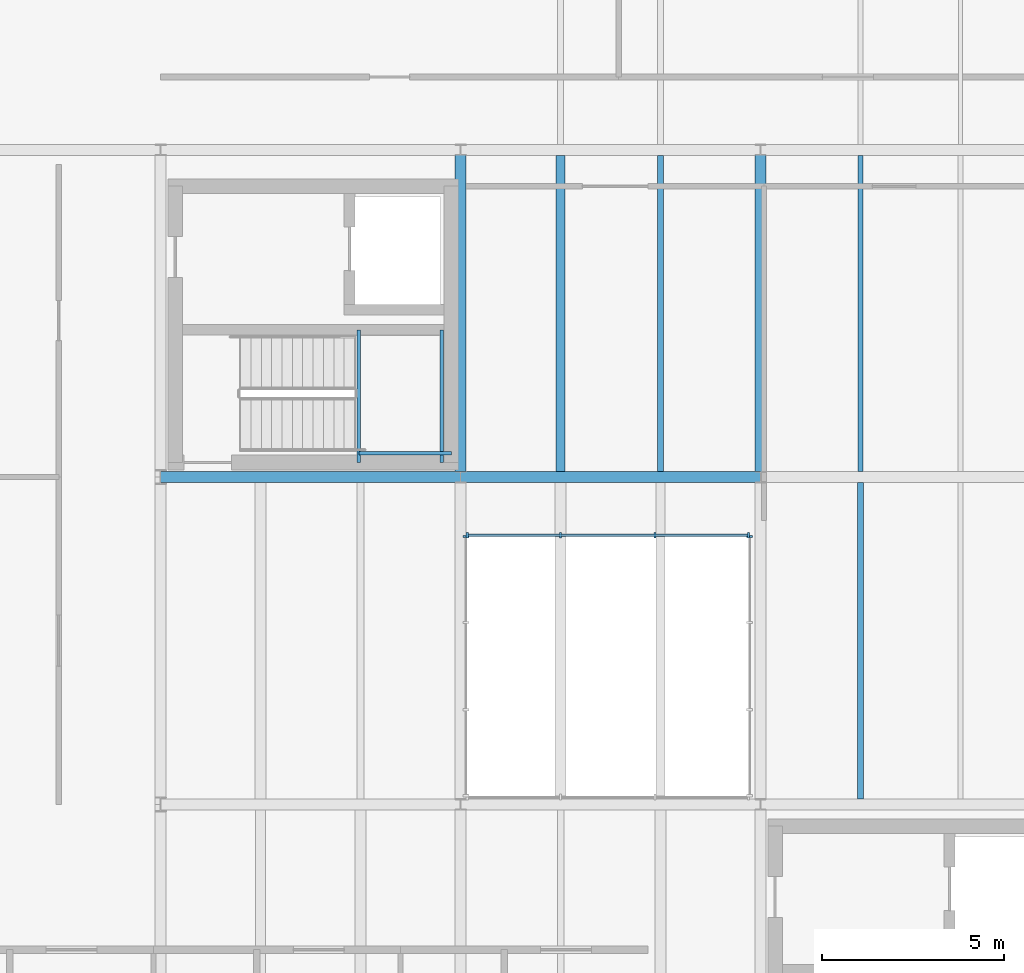
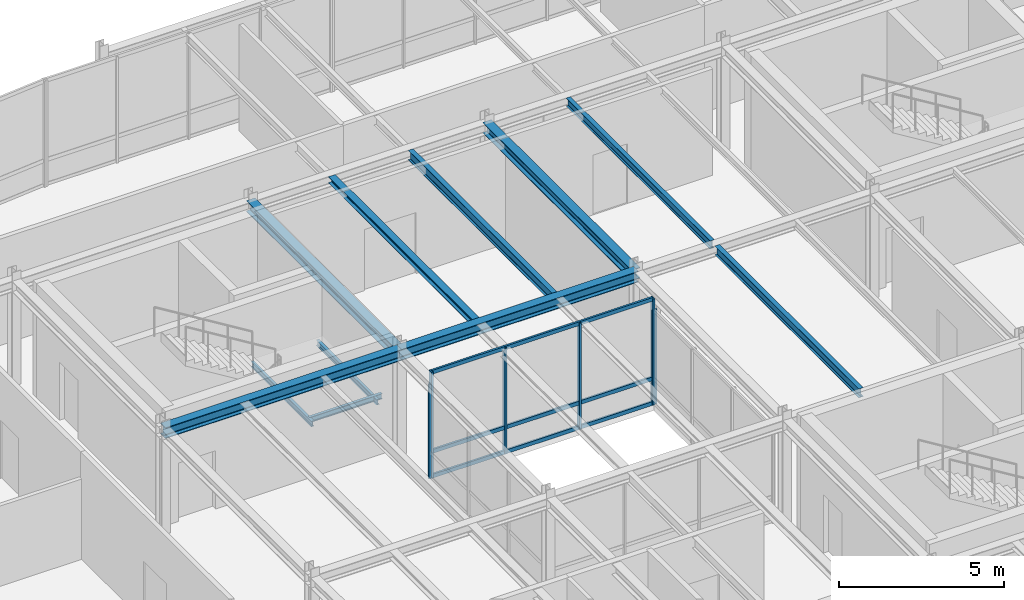
# One storey, part 8 of 27: 11 beams, 9 members, 3 elements without a shape of their own.
"""IFC4 building model written with IfcOpenShell, lengths in metres."""

from ifc_helpers import new_model, si_unit, direction, frame, origin, origin_2d, place, context, subcontext, project, spatial, rectangle, i_section, extrude, material, layer, layer_set, material_profile, profile_set, type_object, element, aggregate, save


model = new_model("IFC4")

# Units and contexts
model_context = context("Model", 3, precision=1e-05, world=origin(), true_north=direction((0.0, 1.0)))
body_context = subcontext(model_context, "Body", "Model", "MODEL_VIEW")
ifc_project = project(units=[si_unit("LENGTHUNIT", "METRE"), si_unit("AREAUNIT", "SQUARE_METRE"), si_unit("VOLUMEUNIT", "CUBIC_METRE"), si_unit("PLANEANGLEUNIT", "RADIAN"), si_unit("MASSUNIT", "GRAM", prefix="KILO")], contexts=[model_context])

# Site, building, storey
site_placement = place(None, origin())
site = spatial("IfcSite", under=ifc_project, at=site_placement, CompositionType="ELEMENT")
building_placement = place(site_placement, origin())
building = spatial("IfcBuilding", under=site, at=building_placement, Name="Montealbar Specialist Clinic", CompositionType="ELEMENT")
storey_placement = place(building_placement, frame((0.0, 0.0, 18.0)))
storey = spatial("IfcBuildingStorey", under=building, at=storey_placement, Name="L04", CompositionType="ELEMENT", Elevation=18.0)

# Beams
ifc_material_1 = material(Name="Steel S355", Category="steel")
ifc_material_profile_1 = material_profile(ifc_material_1, i_section(OverallWidth=0.300048828125, OverallDepth=0.39990234375, WebThickness=0.013427734375, FlangeThickness=0.02392578125, FilletRadius=0.027099609375, at=origin_2d()), Name="HEB 400", Category="steel")
ifc_profile_set_1 = profile_set([ifc_material_profile_1], Name="Steel S355")
beam_type_1 = type_object("IfcBeamType", Name="BM-GIRD-HEB400", PredefinedType="BEAM", material=ifc_profile_set_1)
for number, where, z_axis, x_axis, name in (
    (1, (66.0, 27.0, 3.68994140625), (1.0, 0.0, 0.0), (0.0, 1.0, 0.0), "Beam GX-L04-660-742-270"),
    (2, (74.25, 27.0, 3.68994140625), (1.0, 0.0, 0.0), (0.0, 1.0, 0.0), "Beam GX-L04-742-825-270"),
):
    element("IfcBeam", number, at=place(storey_placement, frame(where, z_axis=z_axis, x_axis=x_axis)), inside=storey, type_object=beam_type_1, Name=name, PredefinedType="BEAM", context=body_context, shape_type="SweptSolid", body=[
        extrude(i_section(OverallWidth=0.300048828125, OverallDepth=0.39990234375, WebThickness=0.013427734375, FlangeThickness=0.02392578125, FilletRadius=0.027099609375, at=origin_2d()), origin(), (0.0, 0.0, 1.0), 8.25),
    ])
for number, where, z_axis, x_axis, name in (
    (3, (74.25, 27.0, 3.68994140625), (0.0, 1.0, 0.0), (-1.0, 0.0, 0.0), "Beam GY-L04-742-270-360"),
    (4, (82.5, 27.0, 3.68994140625), (0.0, 1.0, 0.0), (-1.0, 0.0, 0.0), "Beam GY-L04-825-270-360"),
):
    element("IfcBeam", number, at=place(storey_placement, frame(where, z_axis=z_axis, x_axis=x_axis)), inside=storey, type_object=beam_type_1, Name=name, PredefinedType="BEAM", context=body_context, shape_type="SweptSolid", body=[
        extrude(i_section(OverallWidth=0.300048828125, OverallDepth=0.39990234375, WebThickness=0.013427734375, FlangeThickness=0.02392578125, FilletRadius=0.027099609375, at=origin_2d()), origin(), (0.0, 0.0, 1.0), 9.0),
    ])
ifc_material_profile_2 = material_profile(ifc_material_1, i_section(OverallWidth=0.14990234375, OverallDepth=0.300048828125, WebThickness=0.007080078125, FlangeThickness=0.0107421875, FilletRadius=0.014892578125, at=origin_2d()), Name="IPE 300", Category="steel")
ifc_profile_set_2 = profile_set([ifc_material_profile_2], Name="Steel S355")
beam_type_2 = type_object("IfcBeamType", Name="BM-JST-IPE300", PredefinedType="JOIST", material=ifc_profile_set_2)
beam_1_placement = place(storey_placement, frame((85.25, 27.14990234375, 3.739990234375), z_axis=(0.0, 1.0, 0.0), x_axis=(-1.0, 0.0, 0.0)))
element("IfcBeam", 5, at=beam_1_placement, inside=storey, type_object=beam_type_2, Name="Beam JST-L04-852-272-358", PredefinedType="JOIST", context=body_context, shape_type="SweptSolid", body=[
    extrude(i_section(OverallWidth=0.14990234375, OverallDepth=0.300048828125, WebThickness=0.007080078125, FlangeThickness=0.0107421875, FilletRadius=0.014892578125, at=origin_2d()), origin(), (0.0, 0.0, 1.0), 8.7001953125),
])
ifc_material_profile_3 = material_profile(ifc_material_1, i_section(OverallWidth=0.159912109375, OverallDepth=0.330078125, WebThickness=0.007568359375, FlangeThickness=0.011474609375, FilletRadius=0.01806640625, at=origin_2d()), Name="IPE 330", Category="steel")
ifc_profile_set_3 = profile_set([ifc_material_profile_3], Name="Steel S355")
beam_type_3 = type_object("IfcBeamType", Name="BM-JST-IPE330", PredefinedType="JOIST", material=ifc_profile_set_3)
beam_2_placement = place(storey_placement, frame((85.25, 18.14990234375, 3.72509765625), z_axis=(0.0, 1.0, 0.0), x_axis=(-1.0, 0.0, 0.0)))
element("IfcBeam", 6, at=beam_2_placement, inside=storey, type_object=beam_type_3, Name="Beam JST-L04-852-182-268", PredefinedType="JOIST", context=body_context, shape_type="SweptSolid", body=[
    extrude(i_section(OverallWidth=0.159912109375, OverallDepth=0.330078125, WebThickness=0.007568359375, FlangeThickness=0.011474609375, FilletRadius=0.01806640625, at=origin_2d()), origin(), (0.0, 0.0, 1.0), 8.7001953125),
])
ifc_material_profile_4 = material_profile(ifc_material_1, i_section(OverallWidth=0.169921875, OverallDepth=0.360107421875, WebThickness=0.008056640625, FlangeThickness=0.0126953125, FilletRadius=0.01806640625, at=origin_2d()), Name="IPE 360", Category="steel")
ifc_profile_set_4 = profile_set([ifc_material_profile_4], Name="Steel S355")
beam_type_4 = type_object("IfcBeamType", Name="BM-JST-IPE360", PredefinedType="JOIST", material=ifc_profile_set_4)
beam_3_placement = place(storey_placement, frame((79.75, 27.14990234375, 3.7099609375), z_axis=(0.0, 1.0, 0.0), x_axis=(-1.0, 0.0, 0.0)))
element("IfcBeam", 7, at=beam_3_placement, inside=storey, type_object=beam_type_4, Name="Beam JST-L04-798-272-358", PredefinedType="JOIST", context=body_context, shape_type="SweptSolid", body=[
    extrude(i_section(OverallWidth=0.169921875, OverallDepth=0.360107421875, WebThickness=0.008056640625, FlangeThickness=0.0126953125, FilletRadius=0.01806640625, at=origin_2d()), origin(), (0.0, 0.0, 1.0), 8.7001953125),
])
ifc_material_profile_5 = material_profile(ifc_material_1, i_section(OverallWidth=0.10009765625, OverallDepth=0.199951171875, WebThickness=0.005615234375, FlangeThickness=0.008544921875, FilletRadius=0.011962890625, at=origin_2d()), Name="IPE 200", Category="steel")
ifc_profile_set_5 = profile_set([ifc_material_profile_5], Name="Steel S355")
beam_type_5 = type_object("IfcBeamType", Name="BM-LINT-IPE200", PredefinedType="LINTEL", material=ifc_profile_set_5)
for number, where, z_axis, x_axis, name in (
    (8, (71.455078125, 27.39990234375, 1.800048828125), (0.0, 1.0, 0.0), (-1.0, 0.0, 0.0), "Core C3 Stair Landing Beam L04 W"),
    (9, (73.72998046875, 27.39990234375, 1.800048828125), (0.0, 1.0, 0.0), (-1.0, 0.0, 0.0), "Core C3 Stair Landing Beam L04 E"),
):
    element("IfcBeam", number, at=place(storey_placement, frame(where, z_axis=z_axis, x_axis=x_axis)), inside=storey, type_object=beam_type_5, Name=name, PredefinedType="LINTEL", context=body_context, shape_type="SweptSolid", body=[
        extrude(i_section(OverallWidth=0.10009765625, OverallDepth=0.199951171875, WebThickness=0.005615234375, FlangeThickness=0.008544921875, FilletRadius=0.011962890625, at=origin_2d()), origin(), (0.0, 0.0, 1.0), 3.650146484375),
    ])
beam_4_placement = place(storey_placement, frame((71.455078125, 27.64990234375, 1.800048828125), z_axis=(1.0, 0.0, 0.0), x_axis=(0.0, 1.0, 0.0)))
element("IfcBeam", 10, at=beam_4_placement, inside=storey, type_object=beam_type_5, Name="Core C3 Stair Landing Tie Beam L04", PredefinedType="LINTEL", context=body_context, shape_type="SweptSolid", body=[
    extrude(i_section(OverallWidth=0.10009765625, OverallDepth=0.199951171875, WebThickness=0.005615234375, FlangeThickness=0.008544921875, FilletRadius=0.011962890625, at=origin_2d()), origin(), (0.0, 0.0, 1.0), 2.544921875),
])
ifc_material_profile_6 = material_profile(ifc_material_1, i_section(OverallWidth=0.239990234375, OverallDepth=0.22998046875, WebThickness=0.007568359375, FlangeThickness=0.011962890625, FilletRadius=0.02099609375, at=origin_2d()), Name="HEA 240", Category="steel")
ifc_profile_set_6 = profile_set([ifc_material_profile_6], Name="Steel S355")
beam_type_6 = type_object("IfcBeamType", Name="BM-SPAND-HEA240", PredefinedType="SPANDREL", material=ifc_profile_set_6)
beam_5_placement = place(storey_placement, frame((77.0, 27.14990234375, 3.77490234375), z_axis=(0.0, 1.0, 0.0), x_axis=(-1.0, 0.0, 0.0)))
element("IfcBeam", 11, at=beam_5_placement, inside=storey, type_object=beam_type_6, Name="Beam JST-L04-770-272-358", PredefinedType="SPANDREL", context=body_context, shape_type="SweptSolid", body=[
    extrude(i_section(OverallWidth=0.239990234375, OverallDepth=0.22998046875, WebThickness=0.007568359375, FlangeThickness=0.011962890625, FilletRadius=0.02099609375, at=origin_2d()), origin(), (0.0, 0.0, 1.0), 8.7001953125),
])

# Curtain wall, member
ifc_material_2 = material(Name="Low-E double glazing", Category="glass")
ifc_layer_1 = layer(ifc_material_2, 0.199951171875, Name="Low-E double glazing", Category="glass")
ifc_layer_set_1 = layer_set([ifc_layer_1], Name="Low-E double glazing")
curtain_wall_type_1 = type_object("IfcCurtainWallType", Name="CW-TYPE-35", PredefinedType="NOTDEFINED", material=ifc_layer_set_1)
curtain_wall_1_placement = place(storey_placement, origin())
curtain_wall_1 = element("IfcCurtainWall", 12, at=curtain_wall_1_placement, inside=storey, type_object=curtain_wall_type_1, Name="Unitised Curtain Wall CW-L04-822-182-822-254-180", PredefinedType="NOTDEFINED")
ifc_material_3 = material(Name="Anodised aluminium EN AW-6063", Category="aluminium")
ifc_material_profile_7 = material_profile(ifc_material_3, rectangle(XDim=0.06005859375, YDim=0.159912109375, at=origin_2d()), Name="ALU 60x160", Category="aluminium")
ifc_profile_set_7 = profile_set([ifc_material_profile_7], Name="Anodised aluminium EN AW-6063")
member_type_1 = type_object("IfcMemberType", Name="CW-MUL-160", PredefinedType="MULLION", material=ifc_profile_set_7)
member_1_placement = place(storey_placement, frame((82.199951171875, 25.364990234375, 0.0), z_axis=(0.0, 0.0, 1.0), x_axis=(0.0, 1.0, 0.0)))
member_1 = element("IfcMember", 13, at=member_1_placement, type_object=member_type_1, Name="Curtain Wall Mullion CW-L04-822-182-822-254-180-03", PredefinedType="MULLION", context=body_context, shape_type="SweptSolid", body=[
    extrude(rectangle(XDim=0.06005859375, YDim=0.159912109375, at=origin_2d()), origin(), (0.0, 0.0, 1.0), 3.489990234375),
])
aggregate(curtain_wall_1, [member_1])

# Curtain wall, members
ifc_layer_2 = layer(ifc_material_2, 0.199951171875, Name="Low-E double glazing", Category="glass")
ifc_layer_set_2 = layer_set([ifc_layer_2], Name="Low-E double glazing")
curtain_wall_type_2 = type_object("IfcCurtainWallType", Name="CW-TYPE-36", PredefinedType="NOTDEFINED", material=ifc_layer_set_2)
curtain_wall_2_placement = place(storey_placement, origin())
curtain_wall_2 = element("IfcCurtainWall", 14, at=curtain_wall_2_placement, inside=storey, type_object=curtain_wall_type_2, Name="Unitised Curtain Wall CW-L04-822-254-744-254-180", PredefinedType="NOTDEFINED")
member_2_placement = place(storey_placement, frame((82.1650390625, 25.39990234375, 0.0), z_axis=(0.0, 0.0, 1.0), x_axis=(-1.0, 0.0, 0.0)))
member_2 = element("IfcMember", 15, at=member_2_placement, type_object=member_type_1, Name="Curtain Wall Mullion CW-L04-822-254-744-254-180-00", PredefinedType="MULLION", context=body_context, shape_type="SweptSolid", body=[
    extrude(rectangle(XDim=0.06005859375, YDim=0.159912109375, at=origin_2d()), origin(), (0.0, 0.0, 1.0), 3.919921875),
])
member_3_placement = place(storey_placement, frame((79.60009765625, 25.39990234375, 0.0), z_axis=(0.0, 0.0, 1.0), x_axis=(-1.0, 0.0, 0.0)))
member_3 = element("IfcMember", 16, at=member_3_placement, type_object=member_type_1, Name="Curtain Wall Mullion CW-L04-822-254-744-254-180-01", PredefinedType="MULLION", context=body_context, shape_type="SweptSolid", body=[
    extrude(rectangle(XDim=0.06005859375, YDim=0.159912109375, at=origin_2d()), origin(), (0.0, 0.0, 1.0), 3.919921875),
])
member_4_placement = place(storey_placement, frame((77.0, 25.39990234375, 0.0), z_axis=(0.0, 0.0, 1.0), x_axis=(-1.0, 0.0, 0.0)))
member_4 = element("IfcMember", 17, at=member_4_placement, type_object=member_type_1, Name="Curtain Wall Mullion CW-L04-822-254-744-254-180-02", PredefinedType="MULLION", context=body_context, shape_type="SweptSolid", body=[
    extrude(rectangle(XDim=0.06005859375, YDim=0.159912109375, at=origin_2d()), origin(), (0.0, 0.0, 1.0), 3.919921875),
])
member_5_placement = place(storey_placement, frame((74.43505859375, 25.39990234375, 0.0), z_axis=(0.0, 0.0, 1.0), x_axis=(-1.0, 0.0, 0.0)))
member_5 = element("IfcMember", 18, at=member_5_placement, type_object=member_type_1, Name="Curtain Wall Mullion CW-L04-822-254-744-254-180-03", PredefinedType="MULLION", context=body_context, shape_type="SweptSolid", body=[
    extrude(rectangle(XDim=0.06005859375, YDim=0.159912109375, at=origin_2d()), origin(), (0.0, 0.0, 1.0), 3.919921875),
])

# Curtain wall, member
curtain_wall_3_placement = place(storey_placement, origin())
curtain_wall_3 = element("IfcCurtainWall", 19, at=curtain_wall_3_placement, inside=storey, type_object=curtain_wall_type_1, Name="Unitised Curtain Wall CW-L04-744-254-744-182-180", PredefinedType="NOTDEFINED")
member_6_placement = place(storey_placement, frame((74.39990234375, 25.364990234375, 0.0), z_axis=(0.0, 0.0, 1.0), x_axis=(0.0, -1.0, 0.0)))
member_6 = element("IfcMember", 20, at=member_6_placement, type_object=member_type_1, Name="Curtain Wall Mullion CW-L04-744-254-744-182-180-00", PredefinedType="MULLION", context=body_context, shape_type="SweptSolid", body=[
    extrude(rectangle(XDim=0.06005859375, YDim=0.159912109375, at=origin_2d()), origin(), (0.0, 0.0, 1.0), 3.489990234375),
])
aggregate(curtain_wall_3, [member_6])

# Member
ifc_material_4 = material(Name="Powder-coated aluminium", Category="aluminium")
ifc_material_profile_8 = material_profile(ifc_material_4, rectangle(XDim=0.070068359375, YDim=0.139892578125, at=origin_2d()), Name="ALU 70x140", Category="aluminium")
ifc_profile_set_8 = profile_set([ifc_material_profile_8], Name="Powder-coated aluminium")
member_type_2 = type_object("IfcMemberType", Name="CW-TRN-140", PredefinedType="USERDEFINED", material=ifc_profile_set_8)
member_7_placement = place(storey_placement, frame((82.14990234375, 25.39990234375, 0.0400390625), z_axis=(-1.0, 0.0, 0.0), x_axis=(0.0, -1.0, 0.0)))
member_7 = element("IfcMember", 21, at=member_7_placement, type_object=member_type_2, Name="Curtain Wall Transom CW-L04-822-254-744-254-180-00", ObjectType="TRANSOM", PredefinedType="USERDEFINED", context=body_context, shape_type="SweptSolid", body=[
    extrude(rectangle(XDim=0.070068359375, YDim=0.139892578125, at=origin_2d()), origin(), (0.0, 0.0, 1.0), 7.699951171875),
])

member_8_placement = place(storey_placement, frame((82.14990234375, 25.39990234375, 0.949951171875), z_axis=(-1.0, 0.0, 0.0), x_axis=(0.0, -1.0, 0.0)))
member_8 = element("IfcMember", 22, at=member_8_placement, type_object=member_type_2, Name="Curtain Wall Transom CW-L04-822-254-744-254-180-01", ObjectType="TRANSOM", PredefinedType="USERDEFINED", context=body_context, shape_type="SweptSolid", body=[
    extrude(rectangle(XDim=0.070068359375, YDim=0.139892578125, at=origin_2d()), origin(), (0.0, 0.0, 1.0), 7.699951171875),
])

member_9_placement = place(storey_placement, frame((82.14990234375, 25.39990234375, 3.8798828125), z_axis=(-1.0, 0.0, 0.0), x_axis=(0.0, -1.0, 0.0)))
member_9 = element("IfcMember", 23, at=member_9_placement, type_object=member_type_2, Name="Curtain Wall Transom CW-L04-822-254-744-254-180-02", ObjectType="TRANSOM", PredefinedType="USERDEFINED", context=body_context, shape_type="SweptSolid", body=[
    extrude(rectangle(XDim=0.070068359375, YDim=0.139892578125, at=origin_2d()), origin(), (0.0, 0.0, 1.0), 7.699951171875),
])

aggregate(curtain_wall_2, [member_2, member_3, member_4, member_5, member_7, member_8, member_9])

save(model, "model.ifc")
